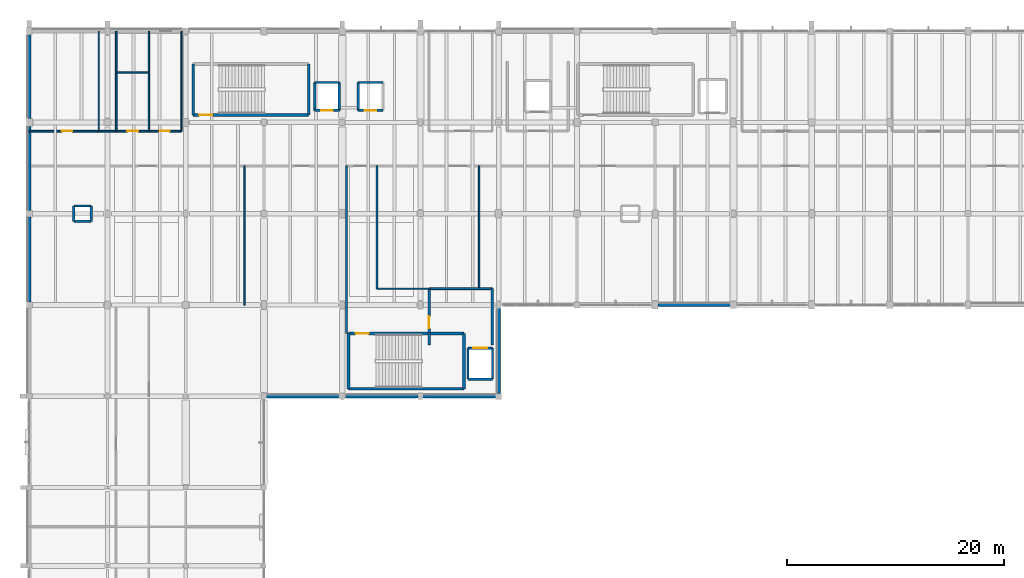
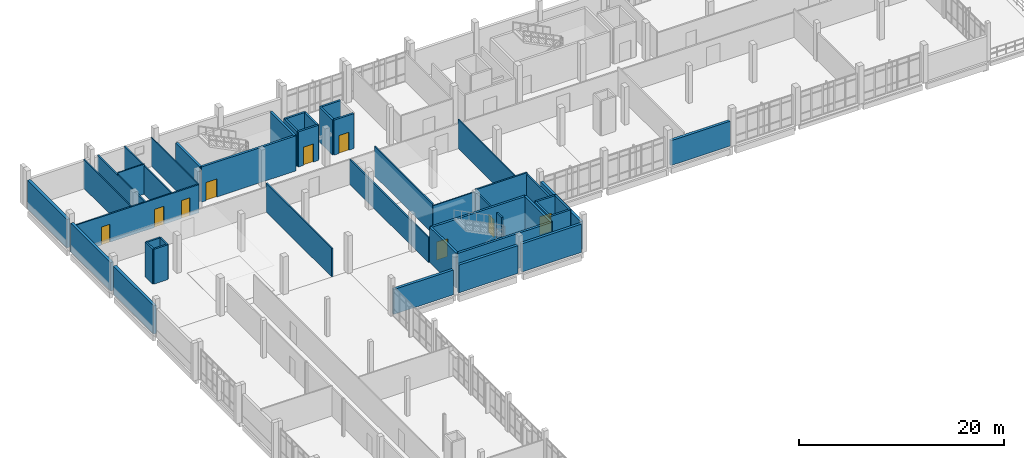
# One storey, part 53 of 62: 44 walls, 9 doors, 9 openings.
"""IFC4 building model written with IfcOpenShell, lengths in metres."""

from ifc_helpers import new_model, si_unit, direction, frame, frame_2d, origin, place, context, subcontext, project, spatial, rectangle, extrude, material, layer, layer_set, type_object, element, fill, save


model = new_model("IFC4")

# Units and contexts
model_context = context("Model", 3, precision=1e-05, world=origin(), true_north=direction((0.0, 1.0)))
body_context = subcontext(model_context, "Body", "Model", "MODEL_VIEW")
ifc_project = project(units=[si_unit("LENGTHUNIT", "METRE"), si_unit("AREAUNIT", "SQUARE_METRE"), si_unit("VOLUMEUNIT", "CUBIC_METRE"), si_unit("PLANEANGLEUNIT", "RADIAN"), si_unit("MASSUNIT", "GRAM", prefix="KILO")], contexts=[model_context])

# Site, building, storey
site_placement = place(None, origin())
site = spatial("IfcSite", under=ifc_project, at=site_placement, CompositionType="ELEMENT")
building_placement = place(site_placement, origin())
building = spatial("IfcBuilding", under=site, at=building_placement, Name="Kalluvel Institute of Natural Sciences", CompositionType="ELEMENT")
storey_placement = place(building_placement, frame((0.0, 0.0, 27.89990234375)))
storey = spatial("IfcBuildingStorey", under=building, at=storey_placement, Name="L06", CompositionType="ELEMENT", Elevation=27.89990234375)

# Wall, opening, door
ifc_material_1 = material(Name="Concrete M40", Category="concrete")
ifc_layer_1 = layer(ifc_material_1, 0.25)
ifc_layer_set_1 = layer_set([ifc_layer_1], Name="Concrete M40")
wall_type_1 = type_object("IfcWallType", Name="WL-CORE-250", PredefinedType="SHEAR", material=ifc_layer_set_1)
wall_1_placement = place(storey_placement, frame((29.0849609375, 120.284912109375, 0.0), z_axis=(0.0, 0.0, 1.0), x_axis=(1.0, 0.0, 0.0)))
wall_1 = element("IfcWall", 1, at=wall_1_placement, inside=storey, type_object=wall_type_1, Name="ST1 L06 core wall S", PredefinedType="SHEAR", context=body_context, shape_type="SweptSolid", body=[
    extrude(rectangle(XDim=10.630126953125, YDim=0.25, at=frame_2d((5.31494140625, 0.0))), origin(), (0.0, 0.0, 1.0), 4.175048828125),
])
opening_1_placement = place(wall_1_placement, frame((0.550048828125, 0.0, 0.0)))
opening_1 = element("IfcOpeningElement", 2, at=opening_1_placement, cuts=wall_1, Name="Opening DS-008", PredefinedType="OPENING", context=body_context, shape_type="SweptSolid", body=[
    extrude(rectangle(XDim=1.199951171875, YDim=2.14990234375, at=frame_2d((0.60009765625, 1.074951171875))), frame((0.0, 0.135009765625, 0.0), z_axis=(0.0, -1.0, 0.0), x_axis=(1.0, 0.0, 0.0)), (0.0, 0.0, 1.0), 0.27001953125),
])
ifc_material_2 = material(Name="Galvanized Fire-Rated Steel", Category="steel")
door_type_1 = type_object("IfcDoorType", Name="DR-ST-1200", OperationType="NOTDEFINED", PredefinedType="DOOR", material=ifc_material_2)
door_1_placement = place(opening_1_placement, origin())
door_1 = element("IfcDoor", 3, at=door_1_placement, inside=storey, type_object=door_type_1, Name="ST1 L06 protected stair door DS-008", OperationType="SINGLE_SWING_RIGHT", OverallHeight=2.14990234375, OverallWidth=1.199951171875, PredefinedType="DOOR", context=body_context, shape_type="SweptSolid", body=[
    extrude(rectangle(XDim=1.199951171875, YDim=2.14990234375, at=frame_2d((0.60009765625, 1.074951171875))), frame((0.0, 0.02490234375, 0.0), z_axis=(0.0, -1.0, 0.0), x_axis=(1.0, 0.0, 0.0)), (0.0, 0.0, 1.0), 0.050048828125),
])
fill(opening_1, door_1)

# Walls
for number, where, z_axis, x_axis, name in (
    (4, (39.715087890625, 120.284912109375, 0.0), (0.0, 0.0, 1.0), (0.0, 1.0, 0.0), "ST1 L06 core wall E"),
    (5, (29.0849609375, 124.985107421875, 0.0), (0.0, 0.0, 1.0), (0.0, -1.0, 0.0), "ST1 L06 core wall W"),
):
    element("IfcWall", number, at=place(storey_placement, frame(where, z_axis=z_axis, x_axis=x_axis)), inside=storey, type_object=wall_type_1, Name=name, PredefinedType="SHEAR", context=body_context, shape_type="SweptSolid", body=[
        extrude(rectangle(XDim=4.7001953125, YDim=0.25, at=frame_2d((2.35009765625, 0.0))), origin(), (0.0, 0.0, 1.0), 4.175048828125),
    ])
wall_2_placement = place(storey_placement, frame((43.385009765625, 95.0849609375, 0.0), z_axis=(0.0, 0.0, 1.0), x_axis=(1.0, 0.0, 0.0)))
element("IfcWall", 6, at=wall_2_placement, inside=storey, type_object=wall_type_1, Name="ST3 L06 core wall S", PredefinedType="SHEAR", context=body_context, shape_type="SweptSolid", body=[
    extrude(rectangle(XDim=10.6298828125, YDim=0.25, at=frame_2d((5.31494140625, 0.0))), origin(), (0.0, 0.0, 1.0), 4.175048828125),
])
wall_3_placement = place(storey_placement, frame((54.014892578125, 95.0849609375, 0.0), z_axis=(0.0, 0.0, 1.0), x_axis=(0.0, 1.0, 0.0)))
element("IfcWall", 7, at=wall_3_placement, inside=storey, type_object=wall_type_1, Name="ST3 L06 core wall E", PredefinedType="SHEAR", context=body_context, shape_type="SweptSolid", body=[
    extrude(rectangle(XDim=5.10009765625, YDim=0.25, at=frame_2d((2.550048828125, 0.0))), origin(), (0.0, 0.0, 1.0), 4.175048828125),
])

# Wall, opening, door
wall_4_placement = place(storey_placement, frame((54.014892578125, 100.18505859375, 0.0), z_axis=(0.0, 0.0, 1.0), x_axis=(-1.0, 0.0, 0.0)))
wall_4 = element("IfcWall", 8, at=wall_4_placement, inside=storey, type_object=wall_type_1, Name="ST3 L06 core wall N", PredefinedType="SHEAR", context=body_context, shape_type="SweptSolid", body=[
    extrude(rectangle(XDim=10.6298828125, YDim=0.25, at=frame_2d((5.31494140625, 0.0))), origin(), (0.0, 0.0, 1.0), 4.175048828125),
])
opening_2_placement = place(wall_4_placement, frame((8.780029296875, 0.0, 0.0)))
opening_2 = element("IfcOpeningElement", 9, at=opening_2_placement, cuts=wall_4, Name="Opening DS-030", PredefinedType="OPENING", context=body_context, shape_type="SweptSolid", body=[
    extrude(rectangle(XDim=1.199951171875, YDim=2.14990234375, at=frame_2d((0.60009765625, 1.074951171875))), frame((0.0, 0.135009765625, 0.0), z_axis=(0.0, -1.0, 0.0), x_axis=(1.0, 0.0, 0.0)), (0.0, 0.0, 1.0), 0.27001953125),
])
door_2_placement = place(opening_2_placement, origin())
door_2 = element("IfcDoor", 10, at=door_2_placement, inside=storey, type_object=door_type_1, Name="ST3 L06 protected stair door DS-030", OperationType="SINGLE_SWING_RIGHT", OverallHeight=2.14990234375, OverallWidth=1.199951171875, PredefinedType="DOOR", context=body_context, shape_type="SweptSolid", body=[
    extrude(rectangle(XDim=1.199951171875, YDim=2.14990234375, at=frame_2d((0.60009765625, 1.074951171875))), frame((0.0, 0.02490234375, 0.0), z_axis=(0.0, -1.0, 0.0), x_axis=(1.0, 0.0, 0.0)), (0.0, 0.0, 1.0), 0.050048828125),
])
fill(opening_2, door_2)

# Walls
wall_5_placement = place(storey_placement, frame((43.385009765625, 100.18505859375, 0.0), z_axis=(0.0, 0.0, 1.0), x_axis=(0.0, -1.0, 0.0)))
element("IfcWall", 11, at=wall_5_placement, inside=storey, type_object=wall_type_1, Name="ST3 L06 core wall W", PredefinedType="SHEAR", context=body_context, shape_type="SweptSolid", body=[
    extrude(rectangle(XDim=5.10009765625, YDim=0.25, at=frame_2d((2.550048828125, 0.0))), origin(), (0.0, 0.0, 1.0), 4.175048828125),
])
ifc_material_3 = material(Name="Sadarahalli Grey Granite Ashlar Concrete M40", Category="masonry")
ifc_layer_2 = layer(ifc_material_3, 0.300048828125)
ifc_layer_set_2 = layer_set([ifc_layer_2], Name="Sadarahalli Grey Granite Ashlar Concrete M40")
wall_type_2 = type_object("IfcWallType", Name="WL-EXT-300", PredefinedType="SOLIDWALL", material=ifc_layer_set_2)
wall_6_placement = place(storey_placement, frame((71.85498046875, 102.800048828125, 0.0), z_axis=(0.0, 0.0, 1.0), x_axis=(1.0, 0.0, 0.0)))
element("IfcWall", 12, at=wall_6_placement, inside=storey, type_object=wall_type_2, Name="L06 Sadarahalli granite exterior wall WL-EXT-L06-0081", PredefinedType="SOLIDWALL", context=body_context, shape_type="SweptSolid", body=[
    extrude(rectangle(XDim=6.6650390625, YDim=0.300048828125, at=frame_2d((3.33251953125, 0.0))), origin(), (0.0, 0.0, 1.0), 2.955078125),
])
wall_7_placement = place(storey_placement, frame((35.804931640625, 94.39990234375, 0.0), z_axis=(0.0, 0.0, 1.0), x_axis=(1.0, 0.0, 0.0)))
element("IfcWall", 13, at=wall_7_placement, inside=storey, type_object=wall_type_2, Name="L06 Sadarahalli granite exterior wall WL-EXT-L06-0121", PredefinedType="SOLIDWALL", context=body_context, shape_type="SweptSolid", body=[
    extrude(rectangle(XDim=6.690185546875, YDim=0.300048828125, at=frame_2d((3.34521484375, 0.0))), origin(), (0.0, 0.0, 1.0), 2.955078125),
])
wall_8_placement = place(storey_placement, frame((43.10498046875, 94.39990234375, 0.0), z_axis=(0.0, 0.0, 1.0), x_axis=(1.0, 0.0, 0.0)))
element("IfcWall", 14, at=wall_8_placement, inside=storey, type_object=wall_type_2, Name="L06 Sadarahalli granite exterior wall WL-EXT-L06-0122", PredefinedType="SOLIDWALL", context=body_context, shape_type="SweptSolid", body=[
    extrude(rectangle(XDim=6.68994140625, YDim=0.300048828125, at=frame_2d((3.344970703125, 0.0))), origin(), (0.0, 0.0, 1.0), 3.30517578125),
])
wall_9_placement = place(storey_placement, frame((50.205078125, 94.39990234375, 0.0), z_axis=(0.0, 0.0, 1.0), x_axis=(1.0, 0.0, 0.0)))
element("IfcWall", 15, at=wall_9_placement, inside=storey, type_object=wall_type_2, Name="L06 Sadarahalli granite exterior wall WL-EXT-L06-0123", PredefinedType="SOLIDWALL", context=body_context, shape_type="SweptSolid", body=[
    extrude(rectangle(XDim=6.739990234375, YDim=0.300048828125, at=frame_2d((3.3701171875, 0.0))), origin(), (0.0, 0.0, 1.0), 3.35498046875),
])
wall_10_placement = place(storey_placement, frame((57.199951171875, 94.655029296875, 0.0), z_axis=(0.0, 0.0, 1.0), x_axis=(0.0, 1.0, 0.0)))
element("IfcWall", 16, at=wall_10_placement, inside=storey, type_object=wall_type_2, Name="L06 Sadarahalli granite exterior wall WL-EXT-L06-0124", PredefinedType="SOLIDWALL", context=body_context, shape_type="SweptSolid", body=[
    extrude(rectangle(XDim=7.864990234375, YDim=0.300048828125, at=frame_2d((3.9326171875, 0.0))), origin(), (0.0, 0.0, 1.0), 3.35498046875),
])
ifc_layer_3 = layer(ifc_material_3, 0.320068359375)
ifc_layer_set_3 = layer_set([ifc_layer_3], Name="Sadarahalli Grey Granite Ashlar Concrete M40")
wall_type_3 = type_object("IfcWallType", Name="WL-EXT-320", PredefinedType="SOLIDWALL", material=ifc_layer_set_3)
wall_11_placement = place(storey_placement, frame((14.0, 103.054931640625, 0.0), z_axis=(0.0, 0.0, 1.0), x_axis=(0.0, 1.0, 0.0)))
element("IfcWall", 17, at=wall_11_placement, inside=storey, type_object=wall_type_3, Name="L06 Sadarahalli granite exterior wall WL-EXT-L06-0083", PredefinedType="SOLIDWALL", context=body_context, shape_type="SweptSolid", body=[
    extrude(rectangle(XDim=7.864990234375, YDim=0.320068359375, at=frame_2d((3.9326171875, 0.0))), origin(), (0.0, 0.0, 1.0), 3.35498046875),
])
wall_12_placement = place(storey_placement, frame((14.0, 111.47998046875, 0.0), z_axis=(0.0, 0.0, 1.0), x_axis=(0.0, 1.0, 0.0)))
element("IfcWall", 18, at=wall_12_placement, inside=storey, type_object=wall_type_3, Name="L06 Sadarahalli granite exterior wall WL-EXT-L06-0084", PredefinedType="SOLIDWALL", context=body_context, shape_type="SweptSolid", body=[
    extrude(rectangle(XDim=7.76513671875, YDim=0.320068359375, at=frame_2d((3.882568359375, 0.0))), origin(), (0.0, 0.0, 1.0), 3.405029296875),
])
wall_13_placement = place(storey_placement, frame((14.0, 119.955078125, 0.0), z_axis=(0.0, 0.0, 1.0), x_axis=(0.0, 1.0, 0.0)))
element("IfcWall", 19, at=wall_13_placement, inside=storey, type_object=wall_type_3, Name="L06 Sadarahalli granite exterior wall WL-EXT-L06-0086", PredefinedType="SOLIDWALL", context=body_context, shape_type="SweptSolid", body=[
    extrude(rectangle(XDim=7.71484375, YDim=0.320068359375, at=frame_2d((3.857421875, 0.0))), origin(), (0.0, 0.0, 1.0), 3.405029296875),
])
ifc_material_4 = material(Name="Autoclaved Aerated Concrete Masonry Block", Category="masonry")
ifc_layer_4 = layer(ifc_material_4, 0.179931640625)
ifc_layer_set_4 = layer_set([ifc_layer_4], Name="Autoclaved Aerated Concrete Masonry Block")
wall_type_4 = type_object("IfcWallType", Name="WL-FIRE-180", PredefinedType="SOLIDWALL", material=ifc_layer_set_4)
wall_14_placement = place(storey_placement, frame((50.800048828125, 104.300048828125, 0.0), z_axis=(0.0, 0.0, 1.0), x_axis=(1.0, 0.0, 0.0)))
element("IfcWall", 20, at=wall_14_placement, inside=storey, type_object=wall_type_4, Name="L06 interior fire wall WL-INT-L06-0279", PredefinedType="SOLIDWALL", context=body_context, shape_type="SweptSolid", body=[
    extrude(rectangle(XDim=5.800048828125, YDim=0.179931640625, at=frame_2d((2.89990234375, 0.0))), origin(), (0.0, 0.0, 1.0), 3.56005859375),
])

# Wall, opening, door
ifc_layer_5 = layer(ifc_material_4, 0.199951171875)
ifc_layer_set_5 = layer_set([ifc_layer_5], Name="Autoclaved Aerated Concrete Masonry Block")
wall_type_5 = type_object("IfcWallType", Name="WL-FIRE-200", PredefinedType="SOLIDWALL", material=ifc_layer_set_5)
wall_15_placement = place(storey_placement, frame((50.800048828125, 99.10009765625, 0.0), z_axis=(0.0, 0.0, 1.0), x_axis=(0.0, 1.0, 0.0)))
wall_15 = element("IfcWall", 21, at=wall_15_placement, inside=storey, type_object=wall_type_5, Name="L06 interior fire wall WL-INT-L06-0277", PredefinedType="SOLIDWALL", context=body_context, shape_type="SweptSolid", body=[
    extrude(rectangle(XDim=5.199951171875, YDim=0.199951171875, at=frame_2d((2.60009765625, 0.0))), origin(), (0.0, 0.0, 1.0), 3.360107421875),
])
opening_3_placement = place(wall_15_placement, frame((1.550048828125, 0.0, 0.0)))
opening_3 = element("IfcOpeningElement", 22, at=opening_3_placement, cuts=wall_15, Name="Opening D-214", PredefinedType="OPENING", context=body_context, shape_type="SweptSolid", body=[
    extrude(rectangle(XDim=1.10009765625, YDim=2.14990234375, at=frame_2d((0.550048828125, 1.074951171875))), frame((0.0, 0.10986328125, 0.0), z_axis=(0.0, -1.0, 0.0), x_axis=(1.0, 0.0, 0.0)), (0.0, 0.0, 1.0), 0.219970703125),
])
door_type_2 = type_object("IfcDoorType", Name="DR-FD60-1100", OperationType="NOTDEFINED", PredefinedType="DOOR", material=ifc_material_2)
door_3_placement = place(opening_3_placement, origin())
door_3 = element("IfcDoor", 23, at=door_3_placement, inside=storey, type_object=door_type_2, Name="L06 ST3-FF2 link door D-214", OperationType="SINGLE_SWING_LEFT", OverallHeight=2.14990234375, OverallWidth=1.10009765625, PredefinedType="DOOR", context=body_context, shape_type="SweptSolid", body=[
    extrude(rectangle(XDim=1.10009765625, YDim=2.14990234375, at=frame_2d((0.550048828125, 1.074951171875))), frame((0.0, 0.02490234375, 0.0), z_axis=(0.0, -1.0, 0.0), x_axis=(1.0, 0.0, 0.0)), (0.0, 0.0, 1.0), 0.050048828125),
])
fill(opening_3, door_3)

# Walls
wall_16_placement = place(storey_placement, frame((56.60009765625, 99.10009765625, 0.0), z_axis=(0.0, 0.0, 1.0), x_axis=(0.0, 1.0, 0.0)))
element("IfcWall", 24, at=wall_16_placement, inside=storey, type_object=wall_type_5, Name="L06 interior fire wall WL-INT-L06-0278", PredefinedType="SOLIDWALL", context=body_context, shape_type="SweptSolid", body=[
    extrude(rectangle(XDim=5.199951171875, YDim=0.199951171875, at=frame_2d((2.60009765625, 0.0))), origin(), (0.0, 0.0, 1.0), 3.360107421875),
])
ifc_material_5 = material(Name="Acoustic Gypsum Twin-Stud Partition", Category="gypsum")
ifc_layer_6 = layer(ifc_material_5, 0.1201171875)
ifc_layer_set_6 = layer_set([ifc_layer_6], Name="Acoustic Gypsum Twin-Stud Partition")
wall_type_6 = type_object("IfcWallType", Name="WL-PART-120", PredefinedType="PARTITIONING", material=ifc_layer_set_6)
wall_17_placement = place(storey_placement, frame((46.0, 104.300048828125, 0.0), z_axis=(0.0, 0.0, 1.0), x_axis=(1.0, 0.0, 0.0)))
element("IfcWall", 25, at=wall_17_placement, inside=storey, type_object=wall_type_6, Name="L06 interior partition wall WL-INT-L06-0282", PredefinedType="PARTITIONING", context=body_context, shape_type="SweptSolid", body=[
    extrude(rectangle(XDim=4.800048828125, YDim=0.1201171875, at=frame_2d((2.39990234375, 0.0))), origin(), (0.0, 0.0, 1.0), 3.31005859375),
])
wall_18_placement = place(storey_placement, frame((20.39990234375, 118.800048828125, 0.0), z_axis=(0.0, 0.0, 1.0), x_axis=(0.0, 1.0, 0.0)))
element("IfcWall", 26, at=wall_18_placement, inside=storey, type_object=wall_type_6, Name="L06 interior partition wall WL-INT-L06-0285", PredefinedType="PARTITIONING", context=body_context, shape_type="SweptSolid", body=[
    extrude(rectangle(XDim=9.199951171875, YDim=0.1201171875, at=frame_2d((4.60009765625, 0.0))), origin(), (0.0, 0.0, 1.0), 3.41015625),
])
wall_19_placement = place(storey_placement, frame((28.0, 118.800048828125, 0.0), z_axis=(0.0, 0.0, 1.0), x_axis=(0.0, 1.0, 0.0)))
element("IfcWall", 27, at=wall_19_placement, inside=storey, type_object=wall_type_6, Name="L06 interior partition wall WL-INT-L06-0288", PredefinedType="PARTITIONING", context=body_context, shape_type="SweptSolid", body=[
    extrude(rectangle(XDim=9.199951171875, YDim=0.1201171875, at=frame_2d((4.60009765625, 0.0))), origin(), (0.0, 0.0, 1.0), 3.360107421875),
])
wall_20_placement = place(storey_placement, frame((55.39990234375, 104.300048828125, 0.0), z_axis=(0.0, 0.0, 1.0), x_axis=(0.0, 1.0, 0.0)))
element("IfcWall", 28, at=wall_20_placement, inside=storey, type_object=wall_type_6, Name="L06 interior partition wall WL-INT-L06-0297", PredefinedType="PARTITIONING", context=body_context, shape_type="SweptSolid", body=[
    extrude(rectangle(XDim=11.300048828125, YDim=0.1201171875, at=frame_2d((5.64990234375, 0.0))), origin(), (0.0, 0.0, 1.0), 3.440185546875),
])
ifc_layer_7 = layer(ifc_material_5, 0.139892578125)
ifc_layer_set_7 = layer_set([ifc_layer_7], Name="Acoustic Gypsum Twin-Stud Partition")
wall_type_7 = type_object("IfcWallType", Name="WL-PART-140", PredefinedType="PARTITIONING", material=ifc_layer_set_7)
wall_21_placement = place(storey_placement, frame((46.0, 104.300048828125, 0.0), z_axis=(0.0, 0.0, 1.0), x_axis=(0.0, 1.0, 0.0)))
element("IfcWall", 29, at=wall_21_placement, inside=storey, type_object=wall_type_7, Name="L06 interior partition wall WL-INT-L06-0281", PredefinedType="PARTITIONING", context=body_context, shape_type="SweptSolid", body=[
    extrude(rectangle(XDim=11.300048828125, YDim=0.139892578125, at=frame_2d((5.64990234375, 0.0))), origin(), (0.0, 0.0, 1.0), 3.52001953125),
])
wall_22_placement = place(storey_placement, frame((22.0, 124.199951171875, 0.0), z_axis=(0.0, 0.0, 1.0), x_axis=(1.0, 0.0, 0.0)))
element("IfcWall", 30, at=wall_22_placement, inside=storey, type_object=wall_type_7, Name="L06 interior partition wall WL-INT-L06-0284", PredefinedType="PARTITIONING", context=body_context, shape_type="SweptSolid", body=[
    extrude(rectangle(XDim=3.0, YDim=0.139892578125, at=frame_2d((1.5, 0.0))), origin(), (0.0, 0.0, 1.0), 3.56005859375),
])
wall_23_placement = place(storey_placement, frame((25.0, 118.800048828125, 0.0), z_axis=(0.0, 0.0, 1.0), x_axis=(0.0, 1.0, 0.0)))
element("IfcWall", 31, at=wall_23_placement, inside=storey, type_object=wall_type_7, Name="L06 interior partition wall WL-INT-L06-0287", PredefinedType="PARTITIONING", context=body_context, shape_type="SweptSolid", body=[
    extrude(rectangle(XDim=9.199951171875, YDim=0.139892578125, at=frame_2d((4.60009765625, 0.0))), origin(), (0.0, 0.0, 1.0), 3.360107421875),
])
wall_24_placement = place(storey_placement, frame((33.800048828125, 102.800048828125, 0.0), z_axis=(0.0, 0.0, 1.0), x_axis=(0.0, 1.0, 0.0)))
element("IfcWall", 32, at=wall_24_placement, inside=storey, type_object=wall_type_7, Name="L06 interior partition wall WL-INT-L06-0296", PredefinedType="PARTITIONING", context=body_context, shape_type="SweptSolid", body=[
    extrude(rectangle(XDim=12.800048828125, YDim=0.139892578125, at=frame_2d((6.39990234375, 0.0))), origin(), (0.0, 0.0, 1.0), 3.41015625),
])
ifc_layer_8 = layer(ifc_material_4, 0.159912109375)
ifc_layer_set_8 = layer_set([ifc_layer_8], Name="Autoclaved Aerated Concrete Masonry Block")
wall_type_8 = type_object("IfcWallType", Name="WL-PART-160", PredefinedType="PARTITIONING", material=ifc_layer_set_8)
wall_25_placement = place(storey_placement, frame((43.199951171875, 100.199951171875, 0.0), z_axis=(0.0, 0.0, 1.0), x_axis=(0.0, 1.0, 0.0)))
element("IfcWall", 33, at=wall_25_placement, inside=storey, type_object=wall_type_8, Name="L06 interior partition wall WL-INT-L06-0280", PredefinedType="PARTITIONING", context=body_context, shape_type="SweptSolid", body=[
    extrude(rectangle(XDim=15.400146484375, YDim=0.159912109375, at=frame_2d((7.7001953125, 0.0))), origin(), (0.0, 0.0, 1.0), 2.960205078125),
])

# Wall, openings, doors
wall_26_placement = place(storey_placement, frame((14.0, 118.800048828125, 0.0), z_axis=(0.0, 0.0, 1.0), x_axis=(1.0, 0.0, 0.0)))
wall_26 = element("IfcWall", 34, at=wall_26_placement, inside=storey, type_object=wall_type_8, Name="L06 interior partition wall WL-INT-L06-0283", PredefinedType="PARTITIONING", context=body_context, shape_type="SweptSolid", body=[
    extrude(rectangle(XDim=14.0, YDim=0.159912109375, at=frame_2d((7.0, 0.0))), origin(), (0.0, 0.0, 1.0), 3.360107421875),
])
opening_4_placement = place(wall_26_placement, frame((3.0, 0.0, 0.0)))
opening_4 = element("IfcOpeningElement", 35, at=opening_4_placement, cuts=wall_26, Name="Opening D-215", PredefinedType="OPENING", context=body_context, shape_type="SweptSolid", body=[
    extrude(rectangle(XDim=0.949951171875, YDim=2.14990234375, at=frame_2d((0.47509765625, 1.074951171875))), frame((0.0, 0.08984375, 0.0), z_axis=(0.0, -1.0, 0.0), x_axis=(1.0, 0.0, 0.0)), (0.0, 0.0, 1.0), 0.179931640625),
])
opening_5_placement = place(wall_26_placement, frame((9.0, 0.0, 0.0)))
opening_5 = element("IfcOpeningElement", 36, at=opening_5_placement, cuts=wall_26, Name="Opening D-216", PredefinedType="OPENING", context=body_context, shape_type="SweptSolid", body=[
    extrude(rectangle(XDim=1.050048828125, YDim=2.14990234375, at=frame_2d((0.52490234375, 1.074951171875))), frame((0.0, 0.08984375, 0.0), z_axis=(0.0, -1.0, 0.0), x_axis=(1.0, 0.0, 0.0)), (0.0, 0.0, 1.0), 0.179931640625),
])
opening_6_placement = place(wall_26_placement, frame((12.0, 0.0, 0.0)))
opening_6 = element("IfcOpeningElement", 37, at=opening_6_placement, cuts=wall_26, Name="Opening D-217", PredefinedType="OPENING", context=body_context, shape_type="SweptSolid", body=[
    extrude(rectangle(XDim=0.949951171875, YDim=2.14990234375, at=frame_2d((0.47509765625, 1.074951171875))), frame((0.0, 0.08984375, 0.0), z_axis=(0.0, -1.0, 0.0), x_axis=(1.0, 0.0, 0.0)), (0.0, 0.0, 1.0), 0.179931640625),
])
ifc_material_6 = material(Name="Engineered Hardwood Acoustic Leaf", Category="wood")
door_type_3 = type_object("IfcDoorType", Name="DR-ACC-1050", OperationType="NOTDEFINED", PredefinedType="DOOR", material=ifc_material_6)
door_4_placement = place(opening_5_placement, origin())
door_4 = element("IfcDoor", 38, at=door_4_placement, inside=storey, type_object=door_type_3, Name="L06 Accessible WC door D-216", OperationType="SINGLE_SWING_RIGHT", OverallHeight=2.14990234375, OverallWidth=1.050048828125, PredefinedType="DOOR", context=body_context, shape_type="SweptSolid", body=[
    extrude(rectangle(XDim=1.050048828125, YDim=2.14990234375, at=frame_2d((0.52490234375, 1.074951171875))), frame((0.0, 0.02490234375, 0.0), z_axis=(0.0, -1.0, 0.0), x_axis=(1.0, 0.0, 0.0)), (0.0, 0.0, 1.0), 0.050048828125),
])
fill(opening_5, door_4)
door_type_4 = type_object("IfcDoorType", Name="DR-INT-950", OperationType="NOTDEFINED", PredefinedType="DOOR", material=ifc_material_6)
door_5_placement = place(opening_4_placement, origin())
door_5 = element("IfcDoor", 39, at=door_5_placement, inside=storey, type_object=door_type_4, Name="L06 Male WC door D-215", OperationType="SINGLE_SWING_LEFT", OverallHeight=2.14990234375, OverallWidth=0.949951171875, PredefinedType="DOOR", context=body_context, shape_type="SweptSolid", body=[
    extrude(rectangle(XDim=0.949951171875, YDim=2.14990234375, at=frame_2d((0.47509765625, 1.074951171875))), frame((0.0, 0.02490234375, 0.0), z_axis=(0.0, -1.0, 0.0), x_axis=(1.0, 0.0, 0.0)), (0.0, 0.0, 1.0), 0.050048828125),
])
fill(opening_4, door_5)
door_6_placement = place(opening_6_placement, origin())
door_6 = element("IfcDoor", 40, at=door_6_placement, inside=storey, type_object=door_type_4, Name="L06 Female WC door D-217", OperationType="SINGLE_SWING_LEFT", OverallHeight=2.14990234375, OverallWidth=0.949951171875, PredefinedType="DOOR", context=body_context, shape_type="SweptSolid", body=[
    extrude(rectangle(XDim=0.949951171875, YDim=2.14990234375, at=frame_2d((0.47509765625, 1.074951171875))), frame((0.0, 0.02490234375, 0.0), z_axis=(0.0, -1.0, 0.0), x_axis=(1.0, 0.0, 0.0)), (0.0, 0.0, 1.0), 0.050048828125),
])
fill(opening_6, door_6)

# Walls
wall_27_placement = place(storey_placement, frame((22.0, 118.800048828125, 0.0), z_axis=(0.0, 0.0, 1.0), x_axis=(0.0, 1.0, 0.0)))
element("IfcWall", 41, at=wall_27_placement, inside=storey, type_object=wall_type_8, Name="L06 interior partition wall WL-INT-L06-0286", PredefinedType="PARTITIONING", context=body_context, shape_type="SweptSolid", body=[
    extrude(rectangle(XDim=9.199951171875, YDim=0.159912109375, at=frame_2d((4.60009765625, 0.0))), origin(), (0.0, 0.0, 1.0), 3.360107421875),
])
ifc_layer_9 = layer(ifc_material_1, 0.199951171875)
ifc_layer_set_9 = layer_set([ifc_layer_9], Name="Concrete M40")
wall_type_9 = type_object("IfcWallType", Name="WL-RISER-200", PredefinedType="SHEAR", material=ifc_layer_set_9)
wall_28_placement = place(storey_placement, frame((18.10009765625, 110.5, 0.0), z_axis=(0.0, 0.0, 1.0), x_axis=(1.0, 0.0, 0.0)))
element("IfcWall", 42, at=wall_28_placement, inside=storey, type_object=wall_type_9, Name="RS-WET-W L06 service riser enclosure S", PredefinedType="SHEAR", context=body_context, shape_type="SweptSolid", body=[
    extrude(rectangle(XDim=1.599853515625, YDim=0.199951171875, at=frame_2d((0.7998046875, 0.0))), origin(), (0.0, 0.0, 1.0), 4.14013671875),
])
wall_29_placement = place(storey_placement, frame((19.699951171875, 110.5, 0.0), z_axis=(0.0, 0.0, 1.0), x_axis=(0.0, 1.0, 0.0)))
element("IfcWall", 43, at=wall_29_placement, inside=storey, type_object=wall_type_9, Name="RS-WET-W L06 service riser enclosure E", PredefinedType="SHEAR", context=body_context, shape_type="SweptSolid", body=[
    extrude(rectangle(XDim=1.39990234375, YDim=0.199951171875, at=frame_2d((0.699951171875, 0.0))), origin(), (0.0, 0.0, 1.0), 4.14013671875),
])
wall_30_placement = place(storey_placement, frame((19.699951171875, 111.89990234375, 0.0), z_axis=(0.0, 0.0, 1.0), x_axis=(-1.0, 0.0, 0.0)))
element("IfcWall", 44, at=wall_30_placement, inside=storey, type_object=wall_type_9, Name="RS-WET-W L06 service riser enclosure N", PredefinedType="SHEAR", context=body_context, shape_type="SweptSolid", body=[
    extrude(rectangle(XDim=1.599853515625, YDim=0.199951171875, at=frame_2d((0.7998046875, 0.0))), origin(), (0.0, 0.0, 1.0), 4.14013671875),
])
wall_31_placement = place(storey_placement, frame((18.10009765625, 111.89990234375, 0.0), z_axis=(0.0, 0.0, 1.0), x_axis=(0.0, -1.0, 0.0)))
element("IfcWall", 45, at=wall_31_placement, inside=storey, type_object=wall_type_9, Name="RS-WET-W L06 service riser enclosure W", PredefinedType="SHEAR", context=body_context, shape_type="SweptSolid", body=[
    extrude(rectangle(XDim=1.39990234375, YDim=0.199951171875, at=frame_2d((0.699951171875, 0.0))), origin(), (0.0, 0.0, 1.0), 4.14013671875),
])

# Wall, opening, door
ifc_layer_10 = layer(ifc_material_1, 0.219970703125)
ifc_layer_set_10 = layer_set([ifc_layer_10], Name="Concrete M40")
wall_type_10 = type_object("IfcWallType", Name="WL-SHAFT-220", PredefinedType="SHEAR", material=ifc_layer_set_10)
wall_32_placement = place(storey_placement, frame((40.27001953125, 120.719970703125, 0.0), z_axis=(0.0, 0.0, 1.0), x_axis=(1.0, 0.0, 0.0)))
wall_32 = element("IfcWall", 46, at=wall_32_placement, inside=storey, type_object=wall_type_10, Name="LF1 L06 lift shaft wall", PredefinedType="SHEAR", context=body_context, shape_type="SweptSolid", body=[
    extrude(rectangle(XDim=2.260009765625, YDim=0.219970703125, at=frame_2d((1.1298828125, 0.0))), origin(), (0.0, 0.0, 1.0), 4.175048828125),
])
opening_7_placement = place(wall_32_placement, frame((0.580078125, 0.0, 0.0)))
opening_7 = element("IfcOpeningElement", 47, at=opening_7_placement, cuts=wall_32, Name="Opening LD-008", PredefinedType="OPENING", context=body_context, shape_type="SweptSolid", body=[
    extrude(rectangle(XDim=1.10009765625, YDim=2.14990234375, at=frame_2d((0.550048828125, 1.074951171875))), frame((0.0, 0.119873046875, 0.0), z_axis=(0.0, -1.0, 0.0), x_axis=(1.0, 0.0, 0.0)), (0.0, 0.0, 1.0), 0.239990234375),
])
door_type_5 = type_object("IfcDoorType", Name="DR-LD-1100", OperationType="NOTDEFINED", PredefinedType="DOOR", material=ifc_material_2)
door_7_placement = place(opening_7_placement, origin())
door_7 = element("IfcDoor", 48, at=door_7_placement, inside=storey, type_object=door_type_5, Name="LF1 L06 sliding lift landing door LD-008", OperationType="DOUBLE_DOOR_SLIDING", OverallHeight=2.14990234375, OverallWidth=1.10009765625, PredefinedType="DOOR", context=body_context, shape_type="SweptSolid", body=[
    extrude(rectangle(XDim=1.10009765625, YDim=2.14990234375, at=frame_2d((0.550048828125, 1.074951171875))), frame((0.0, 0.02490234375, 0.0), z_axis=(0.0, -1.0, 0.0), x_axis=(1.0, 0.0, 0.0)), (0.0, 0.0, 1.0), 0.050048828125),
])
fill(opening_7, door_7)

# Walls
wall_33_placement = place(storey_placement, frame((42.530029296875, 120.719970703125, 0.0), z_axis=(0.0, 0.0, 1.0), x_axis=(0.0, 1.0, 0.0)))
element("IfcWall", 49, at=wall_33_placement, inside=storey, type_object=wall_type_10, Name="LF1 L06 lift shaft wall", PredefinedType="SHEAR", context=body_context, shape_type="SweptSolid", body=[
    extrude(rectangle(XDim=2.56005859375, YDim=0.219970703125, at=frame_2d((1.280029296875, 0.0))), origin(), (0.0, 0.0, 1.0), 4.175048828125),
])
wall_34_placement = place(storey_placement, frame((42.530029296875, 123.280029296875, 0.0), z_axis=(0.0, 0.0, 1.0), x_axis=(-1.0, 0.0, 0.0)))
element("IfcWall", 50, at=wall_34_placement, inside=storey, type_object=wall_type_10, Name="LF1 L06 lift shaft wall", PredefinedType="SHEAR", context=body_context, shape_type="SweptSolid", body=[
    extrude(rectangle(XDim=2.260009765625, YDim=0.219970703125, at=frame_2d((1.1298828125, 0.0))), origin(), (0.0, 0.0, 1.0), 4.175048828125),
])
wall_35_placement = place(storey_placement, frame((40.27001953125, 123.280029296875, 0.0), z_axis=(0.0, 0.0, 1.0), x_axis=(0.0, -1.0, 0.0)))
element("IfcWall", 51, at=wall_35_placement, inside=storey, type_object=wall_type_10, Name="LF1 L06 lift shaft wall", PredefinedType="SHEAR", context=body_context, shape_type="SweptSolid", body=[
    extrude(rectangle(XDim=2.56005859375, YDim=0.219970703125, at=frame_2d((1.280029296875, 0.0))), origin(), (0.0, 0.0, 1.0), 4.175048828125),
])

# Wall, opening, door
wall_36_placement = place(storey_placement, frame((44.27001953125, 120.719970703125, 0.0), z_axis=(0.0, 0.0, 1.0), x_axis=(1.0, 0.0, 0.0)))
wall_36 = element("IfcWall", 52, at=wall_36_placement, inside=storey, type_object=wall_type_10, Name="LF2 L06 lift shaft wall", PredefinedType="SHEAR", context=body_context, shape_type="SweptSolid", body=[
    extrude(rectangle(XDim=2.260009765625, YDim=0.219970703125, at=frame_2d((1.1298828125, 0.0))), origin(), (0.0, 0.0, 1.0), 4.175048828125),
])
opening_8_placement = place(wall_36_placement, frame((0.580078125, 0.0, 0.0)))
opening_8 = element("IfcOpeningElement", 53, at=opening_8_placement, cuts=wall_36, Name="Opening LD-018", PredefinedType="OPENING", context=body_context, shape_type="SweptSolid", body=[
    extrude(rectangle(XDim=1.10009765625, YDim=2.14990234375, at=frame_2d((0.550048828125, 1.074951171875))), frame((0.0, 0.119873046875, 0.0), z_axis=(0.0, -1.0, 0.0), x_axis=(1.0, 0.0, 0.0)), (0.0, 0.0, 1.0), 0.239990234375),
])
door_8_placement = place(opening_8_placement, origin())
door_8 = element("IfcDoor", 54, at=door_8_placement, inside=storey, type_object=door_type_5, Name="LF2 L06 sliding lift landing door LD-018", OperationType="DOUBLE_DOOR_SLIDING", OverallHeight=2.14990234375, OverallWidth=1.10009765625, PredefinedType="DOOR", context=body_context, shape_type="SweptSolid", body=[
    extrude(rectangle(XDim=1.10009765625, YDim=2.14990234375, at=frame_2d((0.550048828125, 1.074951171875))), frame((0.0, 0.02490234375, 0.0), z_axis=(0.0, -1.0, 0.0), x_axis=(1.0, 0.0, 0.0)), (0.0, 0.0, 1.0), 0.050048828125),
])
fill(opening_8, door_8)

# Walls
wall_37_placement = place(storey_placement, frame((46.530029296875, 123.280029296875, 0.0), z_axis=(0.0, 0.0, 1.0), x_axis=(-1.0, 0.0, 0.0)))
element("IfcWall", 55, at=wall_37_placement, inside=storey, type_object=wall_type_10, Name="LF2 L06 lift shaft wall", PredefinedType="SHEAR", context=body_context, shape_type="SweptSolid", body=[
    extrude(rectangle(XDim=2.260009765625, YDim=0.219970703125, at=frame_2d((1.1298828125, 0.0))), origin(), (0.0, 0.0, 1.0), 4.175048828125),
])
wall_38_placement = place(storey_placement, frame((44.27001953125, 123.280029296875, 0.0), z_axis=(0.0, 0.0, 1.0), x_axis=(0.0, -1.0, 0.0)))
element("IfcWall", 56, at=wall_38_placement, inside=storey, type_object=wall_type_10, Name="LF2 L06 lift shaft wall", PredefinedType="SHEAR", context=body_context, shape_type="SweptSolid", body=[
    extrude(rectangle(XDim=2.56005859375, YDim=0.219970703125, at=frame_2d((1.280029296875, 0.0))), origin(), (0.0, 0.0, 1.0), 4.175048828125),
])
wall_39_placement = place(storey_placement, frame((54.3701171875, 95.969970703125, 0.0), z_axis=(0.0, 0.0, 1.0), x_axis=(1.0, 0.0, 0.0)))
element("IfcWall", 57, at=wall_39_placement, inside=storey, type_object=wall_type_10, Name="LF8 L06 lift shaft wall", PredefinedType="SHEAR", context=body_context, shape_type="SweptSolid", body=[
    extrude(rectangle(XDim=2.259765625, YDim=0.219970703125, at=frame_2d((1.1298828125, 0.0))), origin(), (0.0, 0.0, 1.0), 4.175048828125),
])
wall_40_placement = place(storey_placement, frame((56.6298828125, 95.969970703125, 0.0), z_axis=(0.0, 0.0, 1.0), x_axis=(0.0, 1.0, 0.0)))
element("IfcWall", 58, at=wall_40_placement, inside=storey, type_object=wall_type_10, Name="LF8 L06 lift shaft wall", PredefinedType="SHEAR", context=body_context, shape_type="SweptSolid", body=[
    extrude(rectangle(XDim=2.860107421875, YDim=0.219970703125, at=frame_2d((1.43017578125, 0.0))), origin(), (0.0, 0.0, 1.0), 4.175048828125),
])

# Wall, opening, door
wall_41_placement = place(storey_placement, frame((56.6298828125, 98.830078125, 0.0), z_axis=(0.0, 0.0, 1.0), x_axis=(-1.0, 0.0, 0.0)))
wall_41 = element("IfcWall", 59, at=wall_41_placement, inside=storey, type_object=wall_type_10, Name="LF8 L06 lift shaft wall", PredefinedType="SHEAR", context=body_context, shape_type="SweptSolid", body=[
    extrude(rectangle(XDim=2.259765625, YDim=0.219970703125, at=frame_2d((1.1298828125, 0.0))), origin(), (0.0, 0.0, 1.0), 4.175048828125),
])
opening_9_placement = place(wall_41_placement, frame((0.47998046875, 0.0, 0.0)))
opening_9 = element("IfcOpeningElement", 60, at=opening_9_placement, cuts=wall_41, Name="Opening LD-066", PredefinedType="OPENING", context=body_context, shape_type="SweptSolid", body=[
    extrude(rectangle(XDim=1.300048828125, YDim=2.199951171875, at=frame_2d((0.64990234375, 1.10009765625))), frame((0.0, 0.119873046875, 0.0), z_axis=(0.0, -1.0, 0.0), x_axis=(1.0, 0.0, 0.0)), (0.0, 0.0, 1.0), 0.239990234375),
])
door_type_6 = type_object("IfcDoorType", Name="DR-LD-1300", OperationType="NOTDEFINED", PredefinedType="DOOR", material=ifc_material_2)
door_9_placement = place(opening_9_placement, origin())
door_9 = element("IfcDoor", 61, at=door_9_placement, inside=storey, type_object=door_type_6, Name="LF8 L06 sliding lift landing door LD-066", OperationType="DOUBLE_DOOR_SLIDING", OverallHeight=2.199951171875, OverallWidth=1.300048828125, PredefinedType="DOOR", context=body_context, shape_type="SweptSolid", body=[
    extrude(rectangle(XDim=1.300048828125, YDim=2.199951171875, at=frame_2d((0.64990234375, 1.10009765625))), frame((0.0, 0.02490234375, 0.0), z_axis=(0.0, -1.0, 0.0), x_axis=(1.0, 0.0, 0.0)), (0.0, 0.0, 1.0), 0.050048828125),
])
fill(opening_9, door_9)

# Wall
wall_42_placement = place(storey_placement, frame((54.3701171875, 98.830078125, 0.0), z_axis=(0.0, 0.0, 1.0), x_axis=(0.0, -1.0, 0.0)))
element("IfcWall", 62, at=wall_42_placement, inside=storey, type_object=wall_type_10, Name="LF8 L06 lift shaft wall", PredefinedType="SHEAR", context=body_context, shape_type="SweptSolid", body=[
    extrude(rectangle(XDim=2.860107421875, YDim=0.219970703125, at=frame_2d((1.43017578125, 0.0))), origin(), (0.0, 0.0, 1.0), 4.175048828125),
])

save(model, "model.ifc")
